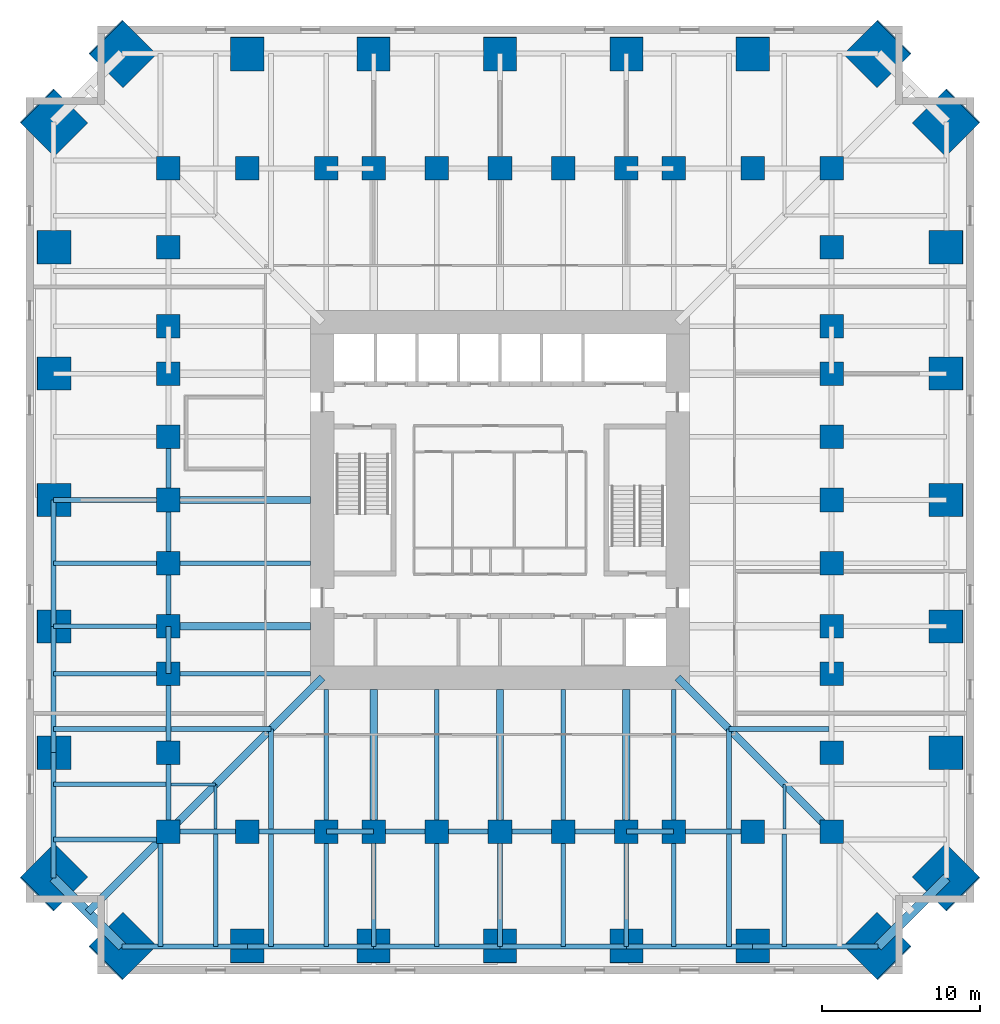
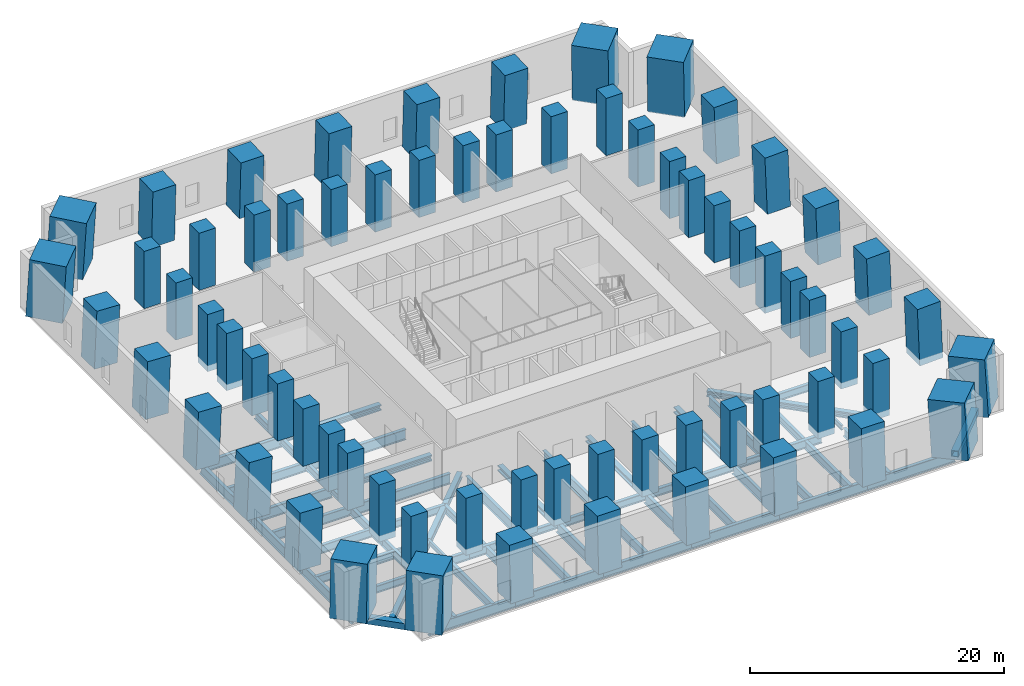
# One storey, part 1 of 8: 68 columns, 66 beams.
"""IFC4 building model written with IfcOpenShell, lengths in metres."""

from ifc_helpers import new_model, si_unit, direction, frame, origin, origin_2d, place, context, subcontext, project, spatial, rectangle, hollow_rectangle, i_section, extrude, material, material_profile, profile_set, type_object, element, save


model = new_model("IFC4")

# Units and contexts
model_context = context("Model", 3, precision=1e-05, world=origin(), true_north=direction((0.0, 1.0)))
body_context = subcontext(model_context, "Body", "Model", "MODEL_VIEW")
ifc_project = project(units=[si_unit("LENGTHUNIT", "METRE"), si_unit("AREAUNIT", "SQUARE_METRE"), si_unit("VOLUMEUNIT", "CUBIC_METRE"), si_unit("PLANEANGLEUNIT", "RADIAN"), si_unit("MASSUNIT", "GRAM", prefix="KILO")], contexts=[model_context])

# Site, building, storey
site_placement = place(None, origin())
site = spatial("IfcSite", under=ifc_project, at=site_placement, CompositionType="ELEMENT")
building_placement = place(site_placement, origin())
building = spatial("IfcBuilding", under=site, at=building_placement, Name="Peilmerk Tower", CompositionType="ELEMENT")
storey_placement = place(building_placement, frame((0.0, 0.0, 65.0)))
storey = spatial("IfcBuildingStorey", under=building, at=storey_placement, Name="L12", CompositionType="ELEMENT", Elevation=65.0)

# Columns
ifc_material_1 = material(Name="Concrete C90/105", Category="concrete")
ifc_material_profile_1 = material_profile(ifc_material_1, rectangle(XDim=3.0, YDim=3.0, at=origin_2d()), Name="RC 3000x3000")
ifc_profile_set_1 = profile_set([ifc_material_profile_1], Name="Concrete C90/105")
column_type_1 = type_object("IfcColumnType", Name="MC1 3000x3000 encased mega column", PredefinedType="COLUMN", material=ifc_profile_set_1)
for number, where, z_axis, x_axis, name in (
    (1, (23.92578125, 28.27587890625, 0.0), (-0.04024000792, -0.040284325109, 0.998377641433), (0.707495835723, -0.706717512472, 0.0), "Mega column MC1 NE_N L12"),
    (2, (28.27587890625, 23.92578125, 0.0), (-0.040284325109, -0.04024000792, 0.998377641433), (0.706717512472, -0.707495835723, 0.0), "Mega column MC1 NE_E L12"),
    (3, (28.27587890625, -23.92578125, 0.0), (-0.040284325109, 0.04024000792, 0.998377641433), (-0.706717512472, -0.707495835723, 0.0), "Mega column MC1 SE_E L12"),
    (4, (23.92578125, -28.27587890625, 0.0), (-0.04024000792, 0.040284325109, 0.998377641433), (-0.707495835723, -0.706717512472, 0.0), "Mega column MC1 SE_S L12"),
    (5, (-23.92578125, -28.27587890625, 0.0), (0.04024000792, 0.040284325109, 0.998377641433), (-0.707495835723, 0.706717512472, 0.0), "Mega column MC1 SW_S L12"),
    (6, (-28.27587890625, -23.92578125, 0.0), (0.040284325109, 0.04024000792, 0.998377641433), (-0.706717512472, 0.707495835723, 0.0), "Mega column MC1 SW_W L12"),
    (7, (-28.27587890625, 23.92578125, 0.0), (0.040284325109, -0.04024000792, 0.998377641433), (0.706717512472, 0.707495835723, 0.0), "Mega column MC1 NW_W L12"),
    (8, (-23.92578125, 28.27587890625, 0.0), (0.04024000792, -0.040284325109, 0.998377641433), (0.707495835723, 0.706717512472, 0.0), "Mega column MC1 NW_N L12"),
):
    element("IfcColumn", number, at=place(storey_placement, frame(where, z_axis=z_axis, x_axis=x_axis)), inside=storey, type_object=column_type_1, Name=name, PredefinedType="COLUMN", context=body_context, shape_type="SweptSolid", body=[
        extrude(rectangle(XDim=3.0, YDim=3.0, at=origin_2d()), origin(), (0.0, 0.0, 1.0), 5.509033203125),
    ])
ifc_material_profile_2 = material_profile(ifc_material_1, rectangle(XDim=2.10009765625, YDim=2.10009765625, at=origin_2d()), Name="RC 2100x2100")
ifc_profile_set_2 = profile_set([ifc_material_profile_2], Name="Concrete C90/105")
column_type_2 = type_object("IfcColumnType", Name="SC3 2100x2100 encased perimeter column", PredefinedType="COLUMN", material=ifc_profile_set_2)
for number, where, z_axis, x_axis, name in (
    (9, (0.0, 28.27587890625, 0.0), (0.0, -0.040316980135, 0.999186940023), (1.0, 0.0, 0.0), "Perimeter column N+0 L12"),
    (10, (8.0, 28.27587890625, 0.0), (0.0, -0.040316980135, 0.999186940023), (1.0, 0.0, 0.0), "Perimeter column N-8 L12"),
    (11, (-8.0, 28.27587890625, 0.0), (0.0, -0.040316980135, 0.999186940023), (1.0, 0.0, 0.0), "Perimeter column N+8 L12"),
    (12, (16.0, 28.27587890625, 0.0), (0.0, -0.040316980135, 0.999186940023), (1.0, 0.0, 0.0), "Perimeter column N-16 L12"),
    (13, (-16.0, 28.27587890625, 0.0), (0.0, -0.040316980135, 0.999186940023), (1.0, 0.0, 0.0), "Perimeter column N+16 L12"),
    (14, (28.27587890625, 0.0, 0.0), (-0.040316980135, 0.0, 0.999186940023), (0.0, -1.0, 0.0), "Perimeter column E+0 L12"),
    (15, (28.27587890625, -8.0, 0.0), (-0.040316980135, 0.0, 0.999186940023), (0.0, -1.0, 0.0), "Perimeter column E-8 L12"),
    (16, (28.27587890625, 8.0, 0.0), (-0.040316980135, 0.0, 0.999186940023), (0.0, -1.0, 0.0), "Perimeter column E+8 L12"),
    (17, (28.27587890625, -16.0, 0.0), (-0.040316980135, 0.0, 0.999186940023), (0.0, -1.0, 0.0), "Perimeter column E-16 L12"),
    (18, (28.27587890625, 16.0, 0.0), (-0.040316980135, 0.0, 0.999186940023), (0.0, -1.0, 0.0), "Perimeter column E+16 L12"),
    (19, (0.0, -28.27587890625, 0.0), (0.0, 0.040316980135, 0.999186940023), (-1.0, 0.0, 0.0), "Perimeter column S+0 L12"),
    (20, (-8.0, -28.27587890625, 0.0), (0.0, 0.040316980135, 0.999186940023), (-1.0, 0.0, 0.0), "Perimeter column S-8 L12"),
    (21, (8.0, -28.27587890625, 0.0), (0.0, 0.040316980135, 0.999186940023), (-1.0, 0.0, 0.0), "Perimeter column S+8 L12"),
    (22, (-16.0, -28.27587890625, 0.0), (0.0, 0.040316980135, 0.999186940023), (-1.0, 0.0, 0.0), "Perimeter column S-16 L12"),
    (23, (16.0, -28.27587890625, 0.0), (0.0, 0.040316980135, 0.999186940023), (-1.0, 0.0, 0.0), "Perimeter column S+16 L12"),
    (24, (-28.27587890625, 0.0, 0.0), (0.040316980135, 0.0, 0.999186940023), (0.0, 1.0, 0.0), "Perimeter column W+0 L12"),
    (25, (-28.27587890625, 8.0, 0.0), (0.040316980135, 0.0, 0.999186940023), (0.0, 1.0, 0.0), "Perimeter column W-8 L12"),
    (26, (-28.27587890625, -8.0, 0.0), (0.040316980135, 0.0, 0.999186940023), (0.0, 1.0, 0.0), "Perimeter column W+8 L12"),
    (27, (-28.27587890625, 16.0, 0.0), (0.040316980135, 0.0, 0.999186940023), (0.0, 1.0, 0.0), "Perimeter column W-16 L12"),
    (28, (-28.27587890625, -16.0, 0.0), (0.040316980135, 0.0, 0.999186940023), (0.0, 1.0, 0.0), "Perimeter column W+16 L12"),
):
    element("IfcColumn", number, at=place(storey_placement, frame(where, z_axis=z_axis, x_axis=x_axis)), inside=storey, type_object=column_type_2, Name=name, PredefinedType="COLUMN", context=body_context, shape_type="SweptSolid", body=[
        extrude(rectangle(XDim=2.10009765625, YDim=2.10009765625, at=origin_2d()), origin(), (0.0, 0.0, 1.0), 5.50439453125),
    ])
ifc_material_profile_3 = material_profile(ifc_material_1, rectangle(XDim=1.5, YDim=1.5, at=origin_2d()), Name="RC 1500x1500")
ifc_profile_set_3 = profile_set([ifc_material_profile_3], Name="Concrete C90/105")
column_type_3 = type_object("IfcColumnType", Name="SC4 1500x1500 encased interior column", PredefinedType="COLUMN", material=ifc_profile_set_3)
for number, where, z_axis, x_axis, name in (
    (29, (0.0, 21.0, 0.0), (0.0, 0.0, 1.0), (1.0, 0.0, 0.0), "Interior column N+0 L12"),
    (30, (4.0, 21.0, 0.0), (0.0, 0.0, 1.0), (1.0, 0.0, 0.0), "Interior column N-4 L12"),
    (31, (-4.0, 21.0, 0.0), (0.0, 0.0, 1.0), (1.0, 0.0, 0.0), "Interior column N+4 L12"),
    (32, (8.0, 21.0, 0.0), (0.0, 0.0, 1.0), (1.0, 0.0, 0.0), "Interior column N-8 L12"),
    (33, (-8.0, 21.0, 0.0), (0.0, 0.0, 1.0), (1.0, 0.0, 0.0), "Interior column N+8 L12"),
    (34, (11.0, 21.0, 0.0), (0.0, 0.0, 1.0), (1.0, 0.0, 0.0), "Interior column N-11 L12"),
    (35, (-11.0, 21.0, 0.0), (0.0, 0.0, 1.0), (1.0, 0.0, 0.0), "Interior column N+11 L12"),
    (36, (16.0, 21.0, 0.0), (0.0, 0.0, 1.0), (1.0, 0.0, 0.0), "Interior column N-16 L12"),
    (37, (-16.0, 21.0, 0.0), (0.0, 0.0, 1.0), (1.0, 0.0, 0.0), "Interior column N+16 L12"),
    (38, (21.0, 0.0, 0.0), (0.0, 0.0, 1.0), (1.0, 0.0, 0.0), "Interior column E+0 L12"),
    (39, (21.0, -4.0, 0.0), (0.0, 0.0, 1.0), (1.0, 0.0, 0.0), "Interior column E-4 L12"),
    (40, (21.0, 4.0, 0.0), (0.0, 0.0, 1.0), (1.0, 0.0, 0.0), "Interior column E+4 L12"),
    (41, (21.0, -8.0, 0.0), (0.0, 0.0, 1.0), (1.0, 0.0, 0.0), "Interior column E-8 L12"),
    (42, (21.0, 8.0, 0.0), (0.0, 0.0, 1.0), (1.0, 0.0, 0.0), "Interior column E+8 L12"),
    (43, (21.0, -11.0, 0.0), (0.0, 0.0, 1.0), (1.0, 0.0, 0.0), "Interior column E-11 L12"),
    (44, (21.0, 11.0, 0.0), (0.0, 0.0, 1.0), (1.0, 0.0, 0.0), "Interior column E+11 L12"),
    (45, (21.0, -16.0, 0.0), (0.0, 0.0, 1.0), (1.0, 0.0, 0.0), "Interior column E-16 L12"),
    (46, (21.0, 16.0, 0.0), (0.0, 0.0, 1.0), (1.0, 0.0, 0.0), "Interior column E+16 L12"),
    (47, (0.0, -21.0, 0.0), (0.0, 0.0, 1.0), (1.0, 0.0, 0.0), "Interior column S+0 L12"),
    (48, (-4.0, -21.0, 0.0), (0.0, 0.0, 1.0), (1.0, 0.0, 0.0), "Interior column S-4 L12"),
    (49, (4.0, -21.0, 0.0), (0.0, 0.0, 1.0), (1.0, 0.0, 0.0), "Interior column S+4 L12"),
    (50, (-8.0, -21.0, 0.0), (0.0, 0.0, 1.0), (1.0, 0.0, 0.0), "Interior column S-8 L12"),
    (51, (8.0, -21.0, 0.0), (0.0, 0.0, 1.0), (1.0, 0.0, 0.0), "Interior column S+8 L12"),
    (52, (-11.0, -21.0, 0.0), (0.0, 0.0, 1.0), (1.0, 0.0, 0.0), "Interior column S-11 L12"),
    (53, (11.0, -21.0, 0.0), (0.0, 0.0, 1.0), (1.0, 0.0, 0.0), "Interior column S+11 L12"),
    (54, (-16.0, -21.0, 0.0), (0.0, 0.0, 1.0), (1.0, 0.0, 0.0), "Interior column S-16 L12"),
    (55, (16.0, -21.0, 0.0), (0.0, 0.0, 1.0), (1.0, 0.0, 0.0), "Interior column S+16 L12"),
    (56, (-21.0, 0.0, 0.0), (0.0, 0.0, 1.0), (1.0, 0.0, 0.0), "Interior column W+0 L12"),
    (57, (-21.0, 4.0, 0.0), (0.0, 0.0, 1.0), (1.0, 0.0, 0.0), "Interior column W-4 L12"),
    (58, (-21.0, -4.0, 0.0), (0.0, 0.0, 1.0), (1.0, 0.0, 0.0), "Interior column W+4 L12"),
    (59, (-21.0, 8.0, 0.0), (0.0, 0.0, 1.0), (1.0, 0.0, 0.0), "Interior column W-8 L12"),
    (60, (-21.0, -8.0, 0.0), (0.0, 0.0, 1.0), (1.0, 0.0, 0.0), "Interior column W+8 L12"),
    (61, (-21.0, 11.0, 0.0), (0.0, 0.0, 1.0), (1.0, 0.0, 0.0), "Interior column W-11 L12"),
    (62, (-21.0, -11.0, 0.0), (0.0, 0.0, 1.0), (1.0, 0.0, 0.0), "Interior column W+11 L12"),
    (63, (-21.0, 16.0, 0.0), (0.0, 0.0, 1.0), (1.0, 0.0, 0.0), "Interior column W-16 L12"),
    (64, (-21.0, -16.0, 0.0), (0.0, 0.0, 1.0), (1.0, 0.0, 0.0), "Interior column W+16 L12"),
    (65, (21.0, 21.0, 0.0), (0.0, 0.0, 1.0), (1.0, 0.0, 0.0), "Interior column NE L12"),
    (66, (21.0, -21.0, 0.0), (0.0, 0.0, 1.0), (1.0, 0.0, 0.0), "Interior column SE L12"),
    (67, (-21.0, -21.0, 0.0), (0.0, 0.0, 1.0), (1.0, 0.0, 0.0), "Interior column SW L12"),
    (68, (-21.0, 21.0, 0.0), (0.0, 0.0, 1.0), (1.0, 0.0, 0.0), "Interior column NW L12"),
):
    element("IfcColumn", number, at=place(storey_placement, frame(where, z_axis=z_axis, x_axis=x_axis)), inside=storey, type_object=column_type_3, Name=name, PredefinedType="COLUMN", context=body_context, shape_type="SweptSolid", body=[
        extrude(rectangle(XDim=1.5, YDim=1.5, at=origin_2d()), origin(), (0.0, 0.0, 1.0), 5.5),
    ])

# Beams
ifc_material_2 = material(Name="Steel S355", Category="steel")
ifc_material_profile_4 = material_profile(ifc_material_2, i_section(OverallWidth=0.300048828125, OverallDepth=1.0, WebThickness=0.01904296875, FlangeThickness=0.035888671875, at=origin_2d()), Name="HEB 1000")
ifc_profile_set_4 = profile_set([ifc_material_profile_4], Name="Steel S355")
beam_type_1 = type_object("IfcBeamType", Name="B13 HEB 1000 edge beam", PredefinedType="SPANDREL", material=ifc_profile_set_4)
beam_1_placement = place(storey_placement, frame((-23.92578125, -28.27587890625, -0.699951171875), z_axis=(1.0, 0.0, 0.0), x_axis=(0.0, 1.0, 0.0)))
element("IfcBeam", 69, at=beam_1_placement, inside=storey, type_object=beam_type_1, Name="Edge beam L12", PredefinedType="SPANDREL", context=body_context, shape_type="SweptSolid", body=[
    extrude(i_section(OverallWidth=0.300048828125, OverallDepth=1.0, WebThickness=0.01904296875, FlangeThickness=0.035888671875, at=origin_2d()), origin(), (0.0, 0.0, 1.0), 7.92578125),
])
for number, where, z_axis, x_axis, name in (
    (70, (-16.0, -28.27587890625, -0.699951171875), (1.0, 0.0, 0.0), (0.0, 1.0, 0.0), "Edge beam L12"),
    (71, (-8.0, -28.27587890625, -0.699951171875), (1.0, 0.0, 0.0), (0.0, 1.0, 0.0), "Edge beam L12"),
    (72, (0.0, -28.27587890625, -0.699951171875), (1.0, 0.0, 0.0), (0.0, 1.0, 0.0), "Edge beam L12"),
    (73, (8.0, -28.27587890625, -0.699951171875), (1.0, 0.0, 0.0), (0.0, 1.0, 0.0), "Edge beam L12"),
):
    element("IfcBeam", number, at=place(storey_placement, frame(where, z_axis=z_axis, x_axis=x_axis)), inside=storey, type_object=beam_type_1, Name=name, PredefinedType="SPANDREL", context=body_context, shape_type="SweptSolid", body=[
        extrude(i_section(OverallWidth=0.300048828125, OverallDepth=1.0, WebThickness=0.01904296875, FlangeThickness=0.035888671875, at=origin_2d()), origin(), (0.0, 0.0, 1.0), 8.0),
    ])
beam_2_placement = place(storey_placement, frame((16.0, -28.27587890625, -0.699951171875), z_axis=(1.0, 0.0, 0.0), x_axis=(0.0, 1.0, 0.0)))
element("IfcBeam", 74, at=beam_2_placement, inside=storey, type_object=beam_type_1, Name="Edge beam L12", PredefinedType="SPANDREL", context=body_context, shape_type="SweptSolid", body=[
    extrude(i_section(OverallWidth=0.300048828125, OverallDepth=1.0, WebThickness=0.01904296875, FlangeThickness=0.035888671875, at=origin_2d()), origin(), (0.0, 0.0, 1.0), 7.92578125),
])
for number, where, z_axis, x_axis, name in (
    (75, (-28.27587890625, 0.0, -0.699951171875), (0.0, -1.0, 0.0), (1.0, 0.0, 0.0), "Edge beam L12"),
    (76, (-28.27587890625, -8.0, -0.699951171875), (0.0, -1.0, 0.0), (1.0, 0.0, 0.0), "Edge beam L12"),
):
    element("IfcBeam", number, at=place(storey_placement, frame(where, z_axis=z_axis, x_axis=x_axis)), inside=storey, type_object=beam_type_1, Name=name, PredefinedType="SPANDREL", context=body_context, shape_type="SweptSolid", body=[
        extrude(i_section(OverallWidth=0.300048828125, OverallDepth=1.0, WebThickness=0.01904296875, FlangeThickness=0.035888671875, at=origin_2d()), origin(), (0.0, 0.0, 1.0), 8.0),
    ])
beam_3_placement = place(storey_placement, frame((-28.27587890625, -16.0, -0.699951171875), z_axis=(0.0, -1.0, 0.0), x_axis=(1.0, 0.0, 0.0)))
element("IfcBeam", 77, at=beam_3_placement, inside=storey, type_object=beam_type_1, Name="Edge beam L12", PredefinedType="SPANDREL", context=body_context, shape_type="SweptSolid", body=[
    extrude(i_section(OverallWidth=0.300048828125, OverallDepth=1.0, WebThickness=0.01904296875, FlangeThickness=0.035888671875, at=origin_2d()), origin(), (0.0, 0.0, 1.0), 7.92578125),
])
ifc_material_profile_5 = material_profile(ifc_material_2, i_section(OverallWidth=0.300048828125, OverallDepth=0.68994140625, WebThickness=0.014404296875, FlangeThickness=0.027099609375, at=origin_2d()), Name="HEA 700")
ifc_profile_set_5 = profile_set([ifc_material_profile_5], Name="Steel S355")
beam_type_2 = type_object("IfcBeamType", Name="B16 HEA 700 floor beam", PredefinedType="BEAM", material=ifc_profile_set_5)
for number, where, z_axis, x_axis, name in (
    (78, (14.5, -14.5, -0.544921875), (0.0, -1.0, 0.0), (1.0, 0.0, 0.0), "Floor beam L12"),
    (79, (14.5, -14.5, -0.544921875), (1.0, 0.0, 0.0), (0.0, 1.0, 0.0), "Floor beam L12"),
    (80, (-14.5, -14.5, -0.544921875), (0.0, -1.0, 0.0), (1.0, 0.0, 0.0), "Floor beam L12"),
    (81, (-14.5, -14.5, -0.544921875), (-1.0, 0.0, 0.0), (0.0, -1.0, 0.0), "Floor beam L12"),
):
    element("IfcBeam", number, at=place(storey_placement, frame(where, z_axis=z_axis, x_axis=x_axis)), inside=storey, type_object=beam_type_2, Name=name, PredefinedType="BEAM", context=body_context, shape_type="SweptSolid", body=[
        extrude(i_section(OverallWidth=0.300048828125, OverallDepth=0.68994140625, WebThickness=0.014404296875, FlangeThickness=0.027099609375, at=origin_2d()), origin(), (0.0, 0.0, 1.0), 6.348388671875),
    ])
for number, where, z_axis, x_axis, name in (
    (82, (-21.5, -21.5, -0.544921875), (0.0, -1.0, 0.0), (1.0, 0.0, 0.0), "Floor beam L12"),
    (83, (-21.5, -21.5, -0.544921875), (-1.0, 0.0, 0.0), (0.0, -1.0, 0.0), "Floor beam L12"),
):
    element("IfcBeam", number, at=place(storey_placement, frame(where, z_axis=z_axis, x_axis=x_axis)), inside=storey, type_object=beam_type_2, Name=name, PredefinedType="BEAM", context=body_context, shape_type="SweptSolid", body=[
        extrude(i_section(OverallWidth=0.300048828125, OverallDepth=0.68994140625, WebThickness=0.014404296875, FlangeThickness=0.027099609375, at=origin_2d()), origin(), (0.0, 0.0, 1.0), 6.77587890625),
    ])
ifc_material_profile_6 = material_profile(ifc_material_2, i_section(OverallWidth=0.303955078125, OverallDepth=0.716064453125, WebThickness=0.02099609375, FlangeThickness=0.0400390625, at=origin_2d()), Name="HEM 700")
ifc_profile_set_6 = profile_set([ifc_material_profile_6], Name="Steel S355")
beam_type_3 = type_object("IfcBeamType", Name="B19 HEM 700 ring girder", PredefinedType="BEAM", material=ifc_profile_set_6)
for number, where, z_axis, x_axis, name in (
    (84, (-8.0, -21.0, -0.55810546875), (1.0, 0.0, 0.0), (0.0, 1.0, 0.0), "Ring girder L12"),
    (85, (-4.0, -21.0, -0.55810546875), (1.0, 0.0, 0.0), (0.0, 1.0, 0.0), "Ring girder L12"),
    (86, (0.0, -21.0, -0.55810546875), (1.0, 0.0, 0.0), (0.0, 1.0, 0.0), "Ring girder L12"),
    (87, (4.0, -21.0, -0.55810546875), (1.0, 0.0, 0.0), (0.0, 1.0, 0.0), "Ring girder L12"),
    (88, (-21.0, 4.0, -0.55810546875), (0.0, -1.0, 0.0), (1.0, 0.0, 0.0), "Ring girder L12"),
    (89, (-21.0, 0.0, -0.55810546875), (0.0, -1.0, 0.0), (1.0, 0.0, 0.0), "Ring girder L12"),
    (90, (-21.0, -4.0, -0.55810546875), (0.0, -1.0, 0.0), (1.0, 0.0, 0.0), "Ring girder L12"),
):
    element("IfcBeam", number, at=place(storey_placement, frame(where, z_axis=z_axis, x_axis=x_axis)), inside=storey, type_object=beam_type_3, Name=name, PredefinedType="BEAM", context=body_context, shape_type="SweptSolid", body=[
        extrude(i_section(OverallWidth=0.303955078125, OverallDepth=0.716064453125, WebThickness=0.02099609375, FlangeThickness=0.0400390625, at=origin_2d()), origin(), (0.0, 0.0, 1.0), 4.0),
    ])
ifc_material_3 = material(Name="Steel S460", Category="steel")
ifc_material_profile_7 = material_profile(ifc_material_3, hollow_rectangle(XDim=0.60009765625, YDim=0.60009765625, WallThickness=0.06005859375, at=origin_2d()), Name="BOX 600x600x60")
ifc_profile_set_7 = profile_set([ifc_material_profile_7], Name="Steel S460")
beam_type_4 = type_object("IfcBeamType", Name="B20 BOX 600x600x60 notch beam", PredefinedType="SPANDREL", material=ifc_profile_set_7)
for number, where, z_axis, x_axis, name in (
    (91, (28.27587890625, -23.92578125, -0.5), (-0.707106781187, -0.707106781187, 0.0), (0.707106781187, -0.707106781187, 0.0), "Notch beam L12"),
    (92, (-23.92578125, -28.27587890625, -0.5), (-0.707106781187, 0.707106781187, 0.0), (-0.707106781187, -0.707106781187, 0.0), "Notch beam L12"),
):
    element("IfcBeam", number, at=place(storey_placement, frame(where, z_axis=z_axis, x_axis=x_axis)), inside=storey, type_object=beam_type_4, Name=name, PredefinedType="SPANDREL", context=body_context, shape_type="SweptSolid", body=[
        extrude(hollow_rectangle(XDim=0.60009765625, YDim=0.60009765625, WallThickness=0.06005859375, at=origin_2d()), origin(), (0.0, 0.0, 1.0), 6.15185546875),
    ])
ifc_material_profile_8 = material_profile(ifc_material_2, i_section(OverallWidth=0.18994140625, OverallDepth=0.449951171875, WebThickness=0.009521484375, FlangeThickness=0.0146484375, at=origin_2d()), Name="IPE 450")
ifc_profile_set_8 = profile_set([ifc_material_profile_8], Name="Steel S355")
beam_type_5 = type_object("IfcBeamType", Name="B21 IPE 450 floor beam", PredefinedType="BEAM", material=ifc_profile_set_8)
for number, where, z_axis, x_axis, name in (
    (93, (18.0, -18.0, -0.425048828125), (0.0, -1.0, 0.0), (1.0, 0.0, 0.0), "Floor beam L12"),
    (94, (-18.0, -18.0, -0.425048828125), (0.0, -1.0, 0.0), (1.0, 0.0, 0.0), "Floor beam L12"),
    (95, (-18.0, -18.0, -0.425048828125), (-1.0, 0.0, 0.0), (0.0, -1.0, 0.0), "Floor beam L12"),
):
    element("IfcBeam", number, at=place(storey_placement, frame(where, z_axis=z_axis, x_axis=x_axis)), inside=storey, type_object=beam_type_5, Name=name, PredefinedType="BEAM", context=body_context, shape_type="SweptSolid", body=[
        extrude(i_section(OverallWidth=0.18994140625, OverallDepth=0.449951171875, WebThickness=0.009521484375, FlangeThickness=0.0146484375, at=origin_2d()), origin(), (0.0, 0.0, 1.0), 2.848388671875),
    ])
ifc_material_profile_9 = material_profile(ifc_material_2, i_section(OverallWidth=0.4541015625, OverallDepth=0.569091796875, WebThickness=0.077880859375, FlangeThickness=0.125, at=origin_2d()), Name="HD 400x1086")
ifc_profile_set_9 = profile_set([ifc_material_profile_9], Name="Steel S355")
beam_type_6 = type_object("IfcBeamType", Name="B22 HD 400x1086 floor girder", PredefinedType="BEAM", material=ifc_profile_set_9)
beam_4_placement = place(storey_placement, frame((-21.0, -21.0, -0.484619140625), z_axis=(-0.707106781187, -0.707106781187, 0.0), x_axis=(0.707106781187, -0.707106781187, 0.0)))
element("IfcBeam", 96, at=beam_4_placement, inside=storey, type_object=beam_type_6, Name="Corner girder L12", PredefinedType="BEAM", context=body_context, shape_type="SweptSolid", body=[
    extrude(i_section(OverallWidth=0.4541015625, OverallDepth=0.569091796875, WebThickness=0.077880859375, FlangeThickness=0.125, at=origin_2d()), origin(), (0.0, 0.0, 1.0), 7.213623046875),
])
ifc_material_profile_10 = material_profile(ifc_material_2, i_section(OverallWidth=0.302978515625, OverallDepth=0.81396484375, WebThickness=0.02099609375, FlangeThickness=0.0400390625, at=origin_2d()), Name="HEM 800")
ifc_profile_set_10 = profile_set([ifc_material_profile_10], Name="Steel S355")
beam_type_7 = type_object("IfcBeamType", Name="B25 HEM 800 ring girder", PredefinedType="BEAM", material=ifc_profile_set_10)
for number, where, z_axis, x_axis, name in (
    (97, (-21.0, -21.0, -0.60693359375), (1.0, 0.0, 0.0), (0.0, 1.0, 0.0), "Ring girder L12"),
    (98, (-16.0, -21.0, -0.60693359375), (1.0, 0.0, 0.0), (0.0, 1.0, 0.0), "Ring girder L12"),
    (99, (11.0, -21.0, -0.60693359375), (1.0, 0.0, 0.0), (0.0, 1.0, 0.0), "Ring girder L12"),
    (100, (-21.0, -11.0, -0.60693359375), (0.0, -1.0, 0.0), (1.0, 0.0, 0.0), "Ring girder L12"),
    (101, (-21.0, -16.0, -0.60693359375), (0.0, -1.0, 0.0), (1.0, 0.0, 0.0), "Ring girder L12"),
):
    element("IfcBeam", number, at=place(storey_placement, frame(where, z_axis=z_axis, x_axis=x_axis)), inside=storey, type_object=beam_type_7, Name=name, PredefinedType="BEAM", context=body_context, shape_type="SweptSolid", body=[
        extrude(i_section(OverallWidth=0.302978515625, OverallDepth=0.81396484375, WebThickness=0.02099609375, FlangeThickness=0.0400390625, at=origin_2d()), origin(), (0.0, 0.0, 1.0), 5.0),
    ])
ifc_material_profile_11 = material_profile(ifc_material_2, i_section(OverallWidth=0.300048828125, OverallDepth=0.7900390625, WebThickness=0.014892578125, FlangeThickness=0.028076171875, at=origin_2d()), Name="HEA 800")
ifc_profile_set_11 = profile_set([ifc_material_profile_11], Name="Steel S355")
beam_type_8 = type_object("IfcBeamType", Name="B3 HEA 800 floor beam", PredefinedType="BEAM", material=ifc_profile_set_11)
for number, where, z_axis, x_axis, name in (
    (102, (14.5, -21.151611328125, -0.594970703125), (0.0, -1.0, 0.0), (1.0, 0.0, 0.0), "Floor beam L12"),
    (103, (18.0, -21.151611328125, -0.594970703125), (0.0, -1.0, 0.0), (1.0, 0.0, 0.0), "Floor beam L12"),
    (104, (-14.5, -21.151611328125, -0.594970703125), (0.0, -1.0, 0.0), (1.0, 0.0, 0.0), "Floor beam L12"),
    (105, (-21.151611328125, -14.5, -0.594970703125), (-1.0, 0.0, 0.0), (0.0, -1.0, 0.0), "Floor beam L12"),
    (106, (-18.0, -21.151611328125, -0.594970703125), (0.0, -1.0, 0.0), (1.0, 0.0, 0.0), "Floor beam L12"),
    (107, (-21.151611328125, -18.0, -0.594970703125), (-1.0, 0.0, 0.0), (0.0, -1.0, 0.0), "Floor beam L12"),
):
    element("IfcBeam", number, at=place(storey_placement, frame(where, z_axis=z_axis, x_axis=x_axis)), inside=storey, type_object=beam_type_8, Name=name, PredefinedType="BEAM", context=body_context, shape_type="SweptSolid", body=[
        extrude(i_section(OverallWidth=0.300048828125, OverallDepth=0.7900390625, WebThickness=0.014892578125, FlangeThickness=0.028076171875, at=origin_2d()), origin(), (0.0, 0.0, 1.0), 7.124267578125),
    ])
ifc_material_profile_12 = material_profile(ifc_material_2, i_section(OverallWidth=0.300048828125, OverallDepth=0.889892578125, WebThickness=0.01611328125, FlangeThickness=0.030029296875, at=origin_2d()), Name="HEA 900")
ifc_profile_set_12 = profile_set([ifc_material_profile_12], Name="Steel S355")
beam_type_9 = type_object("IfcBeamType", Name="B4 HEA 900 floor beam", PredefinedType="BEAM", material=ifc_profile_set_12)
for number, where, z_axis, x_axis, name in (
    (108, (-11.0, -21.0, -0.64501953125), (0.0, -1.0, 0.0), (1.0, 0.0, 0.0), "Floor beam L12"),
    (109, (-4.0, -21.0, -0.64501953125), (0.0, -1.0, 0.0), (1.0, 0.0, 0.0), "Floor beam L12"),
    (110, (4.0, -21.0, -0.64501953125), (0.0, -1.0, 0.0), (1.0, 0.0, 0.0), "Floor beam L12"),
    (111, (11.0, -21.0, -0.64501953125), (0.0, -1.0, 0.0), (1.0, 0.0, 0.0), "Floor beam L12"),
    (112, (-21.0, -4.0, -0.64501953125), (-1.0, 0.0, 0.0), (0.0, -1.0, 0.0), "Floor beam L12"),
    (113, (-21.0, -11.0, -0.64501953125), (-1.0, 0.0, 0.0), (0.0, -1.0, 0.0), "Floor beam L12"),
):
    element("IfcBeam", number, at=place(storey_placement, frame(where, z_axis=z_axis, x_axis=x_axis)), inside=storey, type_object=beam_type_9, Name=name, PredefinedType="BEAM", context=body_context, shape_type="SweptSolid", body=[
        extrude(i_section(OverallWidth=0.300048828125, OverallDepth=0.889892578125, WebThickness=0.01611328125, FlangeThickness=0.030029296875, at=origin_2d()), origin(), (0.0, 0.0, 1.0), 7.27587890625),
    ])
ifc_material_profile_13 = material_profile(ifc_material_2, i_section(OverallWidth=0.300048828125, OverallDepth=1.0, WebThickness=0.01904296875, FlangeThickness=0.035888671875, at=origin_2d()), Name="HEB 1000")
ifc_profile_set_13 = profile_set([ifc_material_profile_13], Name="Steel S355")
beam_type_10 = type_object("IfcBeamType", Name="B5 HEB 1000 floor girder", PredefinedType="BEAM", material=ifc_profile_set_13)
beam_5_placement = place(storey_placement, frame((-11.0, -12.0, -0.699951171875), z_axis=(0.0, -1.0, 0.0), x_axis=(1.0, 0.0, 0.0)))
element("IfcBeam", 114, at=beam_5_placement, inside=storey, type_object=beam_type_10, Name="Floor beam L12", PredefinedType="BEAM", context=body_context, shape_type="SweptSolid", body=[
    extrude(i_section(OverallWidth=0.300048828125, OverallDepth=1.0, WebThickness=0.01904296875, FlangeThickness=0.035888671875, at=origin_2d()), origin(), (0.0, 0.0, 1.0), 9.0),
])
beam_6_placement = place(storey_placement, frame((-8.0, -21.0, -0.699951171875), z_axis=(0.0, -1.0, 0.0), x_axis=(1.0, 0.0, 0.0)))
element("IfcBeam", 115, at=beam_6_placement, inside=storey, type_object=beam_type_10, Name="Floor girder L12", PredefinedType="BEAM", context=body_context, shape_type="SweptSolid", body=[
    extrude(i_section(OverallWidth=0.300048828125, OverallDepth=1.0, WebThickness=0.01904296875, FlangeThickness=0.035888671875, at=origin_2d()), origin(), (0.0, 0.0, 1.0), 7.27587890625),
])
beam_7_placement = place(storey_placement, frame((-4.0, -12.0, -0.699951171875), z_axis=(0.0, -1.0, 0.0), x_axis=(1.0, 0.0, 0.0)))
element("IfcBeam", 116, at=beam_7_placement, inside=storey, type_object=beam_type_10, Name="Floor beam L12", PredefinedType="BEAM", context=body_context, shape_type="SweptSolid", body=[
    extrude(i_section(OverallWidth=0.300048828125, OverallDepth=1.0, WebThickness=0.01904296875, FlangeThickness=0.035888671875, at=origin_2d()), origin(), (0.0, 0.0, 1.0), 9.0),
])
beam_8_placement = place(storey_placement, frame((0.0, -21.0, -0.699951171875), z_axis=(0.0, -1.0, 0.0), x_axis=(1.0, 0.0, 0.0)))
element("IfcBeam", 117, at=beam_8_placement, inside=storey, type_object=beam_type_10, Name="Floor girder L12", PredefinedType="BEAM", context=body_context, shape_type="SweptSolid", body=[
    extrude(i_section(OverallWidth=0.300048828125, OverallDepth=1.0, WebThickness=0.01904296875, FlangeThickness=0.035888671875, at=origin_2d()), origin(), (0.0, 0.0, 1.0), 7.27587890625),
])
beam_9_placement = place(storey_placement, frame((4.0, -12.0, -0.699951171875), z_axis=(0.0, -1.0, 0.0), x_axis=(1.0, 0.0, 0.0)))
element("IfcBeam", 118, at=beam_9_placement, inside=storey, type_object=beam_type_10, Name="Floor beam L12", PredefinedType="BEAM", context=body_context, shape_type="SweptSolid", body=[
    extrude(i_section(OverallWidth=0.300048828125, OverallDepth=1.0, WebThickness=0.01904296875, FlangeThickness=0.035888671875, at=origin_2d()), origin(), (0.0, 0.0, 1.0), 9.0),
])
beam_10_placement = place(storey_placement, frame((8.0, -21.0, -0.699951171875), z_axis=(0.0, -1.0, 0.0), x_axis=(1.0, 0.0, 0.0)))
element("IfcBeam", 119, at=beam_10_placement, inside=storey, type_object=beam_type_10, Name="Floor girder L12", PredefinedType="BEAM", context=body_context, shape_type="SweptSolid", body=[
    extrude(i_section(OverallWidth=0.300048828125, OverallDepth=1.0, WebThickness=0.01904296875, FlangeThickness=0.035888671875, at=origin_2d()), origin(), (0.0, 0.0, 1.0), 7.27587890625),
])
beam_11_placement = place(storey_placement, frame((11.0, -12.0, -0.699951171875), z_axis=(0.0, -1.0, 0.0), x_axis=(1.0, 0.0, 0.0)))
element("IfcBeam", 120, at=beam_11_placement, inside=storey, type_object=beam_type_10, Name="Floor beam L12", PredefinedType="BEAM", context=body_context, shape_type="SweptSolid", body=[
    extrude(i_section(OverallWidth=0.300048828125, OverallDepth=1.0, WebThickness=0.01904296875, FlangeThickness=0.035888671875, at=origin_2d()), origin(), (0.0, 0.0, 1.0), 9.0),
])
beam_12_placement = place(storey_placement, frame((-21.0, 0.0, -0.699951171875), z_axis=(-1.0, 0.0, 0.0), x_axis=(0.0, -1.0, 0.0)))
element("IfcBeam", 121, at=beam_12_placement, inside=storey, type_object=beam_type_10, Name="Floor girder L12", PredefinedType="BEAM", context=body_context, shape_type="SweptSolid", body=[
    extrude(i_section(OverallWidth=0.300048828125, OverallDepth=1.0, WebThickness=0.01904296875, FlangeThickness=0.035888671875, at=origin_2d()), origin(), (0.0, 0.0, 1.0), 7.27587890625),
])
beam_13_placement = place(storey_placement, frame((-12.0, -4.0, -0.699951171875), z_axis=(-1.0, 0.0, 0.0), x_axis=(0.0, -1.0, 0.0)))
element("IfcBeam", 122, at=beam_13_placement, inside=storey, type_object=beam_type_10, Name="Floor beam L12", PredefinedType="BEAM", context=body_context, shape_type="SweptSolid", body=[
    extrude(i_section(OverallWidth=0.300048828125, OverallDepth=1.0, WebThickness=0.01904296875, FlangeThickness=0.035888671875, at=origin_2d()), origin(), (0.0, 0.0, 1.0), 9.0),
])
beam_14_placement = place(storey_placement, frame((-21.0, -8.0, -0.699951171875), z_axis=(-1.0, 0.0, 0.0), x_axis=(0.0, -1.0, 0.0)))
element("IfcBeam", 123, at=beam_14_placement, inside=storey, type_object=beam_type_10, Name="Floor girder L12", PredefinedType="BEAM", context=body_context, shape_type="SweptSolid", body=[
    extrude(i_section(OverallWidth=0.300048828125, OverallDepth=1.0, WebThickness=0.01904296875, FlangeThickness=0.035888671875, at=origin_2d()), origin(), (0.0, 0.0, 1.0), 7.27587890625),
])
beam_15_placement = place(storey_placement, frame((-12.0, -11.0, -0.699951171875), z_axis=(-1.0, 0.0, 0.0), x_axis=(0.0, -1.0, 0.0)))
element("IfcBeam", 124, at=beam_15_placement, inside=storey, type_object=beam_type_10, Name="Floor beam L12", PredefinedType="BEAM", context=body_context, shape_type="SweptSolid", body=[
    extrude(i_section(OverallWidth=0.300048828125, OverallDepth=1.0, WebThickness=0.01904296875, FlangeThickness=0.035888671875, at=origin_2d()), origin(), (0.0, 0.0, 1.0), 9.0),
])
ifc_material_profile_14 = material_profile(ifc_material_2, i_section(OverallWidth=0.304931640625, OverallDepth=0.6201171875, WebThickness=0.02099609375, FlangeThickness=0.0400390625, at=origin_2d()), Name="HEM 600")
ifc_profile_set_14 = profile_set([ifc_material_profile_14], Name="Steel S355")
beam_type_11 = type_object("IfcBeamType", Name="B6 HEM 600 ring girder", PredefinedType="BEAM", material=ifc_profile_set_14)
for number, where, z_axis, x_axis, name in (
    (125, (-11.0, -21.0, -0.510009765625), (1.0, 0.0, 0.0), (0.0, 1.0, 0.0), "Ring girder L12"),
    (126, (8.0, -21.0, -0.510009765625), (1.0, 0.0, 0.0), (0.0, 1.0, 0.0), "Ring girder L12"),
    (127, (-21.0, -8.0, -0.510009765625), (0.0, -1.0, 0.0), (1.0, 0.0, 0.0), "Ring girder L12"),
):
    element("IfcBeam", number, at=place(storey_placement, frame(where, z_axis=z_axis, x_axis=x_axis)), inside=storey, type_object=beam_type_11, Name=name, PredefinedType="BEAM", context=body_context, shape_type="SweptSolid", body=[
        extrude(i_section(OverallWidth=0.304931640625, OverallDepth=0.6201171875, WebThickness=0.02099609375, FlangeThickness=0.0400390625, at=origin_2d()), origin(), (0.0, 0.0, 1.0), 3.0),
    ])
ifc_material_profile_15 = material_profile(ifc_material_3, i_section(OverallWidth=0.4541015625, OverallDepth=0.569091796875, WebThickness=0.077880859375, FlangeThickness=0.125, at=origin_2d()), Name="HD 400x1086")
ifc_profile_set_15 = profile_set([ifc_material_profile_15], Name="Steel S460")
beam_type_12 = type_object("IfcBeamType", Name="B9 HD 400x1086 corner girder", PredefinedType="BEAM", material=ifc_profile_set_15)
for number, where, z_axis, x_axis, name in (
    (128, (-8.0, -12.0, -0.484619140625), (0.0, -1.0, 0.0), (1.0, 0.0, 0.0), "Floor girder L12"),
    (129, (0.0, -12.0, -0.484619140625), (0.0, -1.0, 0.0), (1.0, 0.0, 0.0), "Floor girder L12"),
    (130, (8.0, -12.0, -0.484619140625), (0.0, -1.0, 0.0), (1.0, 0.0, 0.0), "Floor girder L12"),
    (131, (-12.0, 0.0, -0.484619140625), (-1.0, 0.0, 0.0), (0.0, -1.0, 0.0), "Floor girder L12"),
    (132, (-12.0, -8.0, -0.484619140625), (-1.0, 0.0, 0.0), (0.0, -1.0, 0.0), "Floor girder L12"),
):
    element("IfcBeam", number, at=place(storey_placement, frame(where, z_axis=z_axis, x_axis=x_axis)), inside=storey, type_object=beam_type_12, Name=name, PredefinedType="BEAM", context=body_context, shape_type="SweptSolid", body=[
        extrude(i_section(OverallWidth=0.4541015625, OverallDepth=0.569091796875, WebThickness=0.077880859375, FlangeThickness=0.125, at=origin_2d()), origin(), (0.0, 0.0, 1.0), 9.0),
    ])
for number, where, z_axis, x_axis, name in (
    (133, (11.25, -11.25, -0.484619140625), (0.707106781187, -0.707106781187, 0.0), (0.707106781187, 0.707106781187, 0.0), "Corner girder L12"),
    (134, (-11.25, -11.25, -0.484619140625), (-0.707106781187, -0.707106781187, 0.0), (0.707106781187, -0.707106781187, 0.0), "Corner girder L12"),
):
    element("IfcBeam", number, at=place(storey_placement, frame(where, z_axis=z_axis, x_axis=x_axis)), inside=storey, type_object=beam_type_12, Name=name, PredefinedType="BEAM", context=body_context, shape_type="SweptSolid", body=[
        extrude(i_section(OverallWidth=0.4541015625, OverallDepth=0.569091796875, WebThickness=0.077880859375, FlangeThickness=0.125, at=origin_2d()), origin(), (0.0, 0.0, 1.0), 13.78857421875),
    ])

save(model, "model.ifc")
